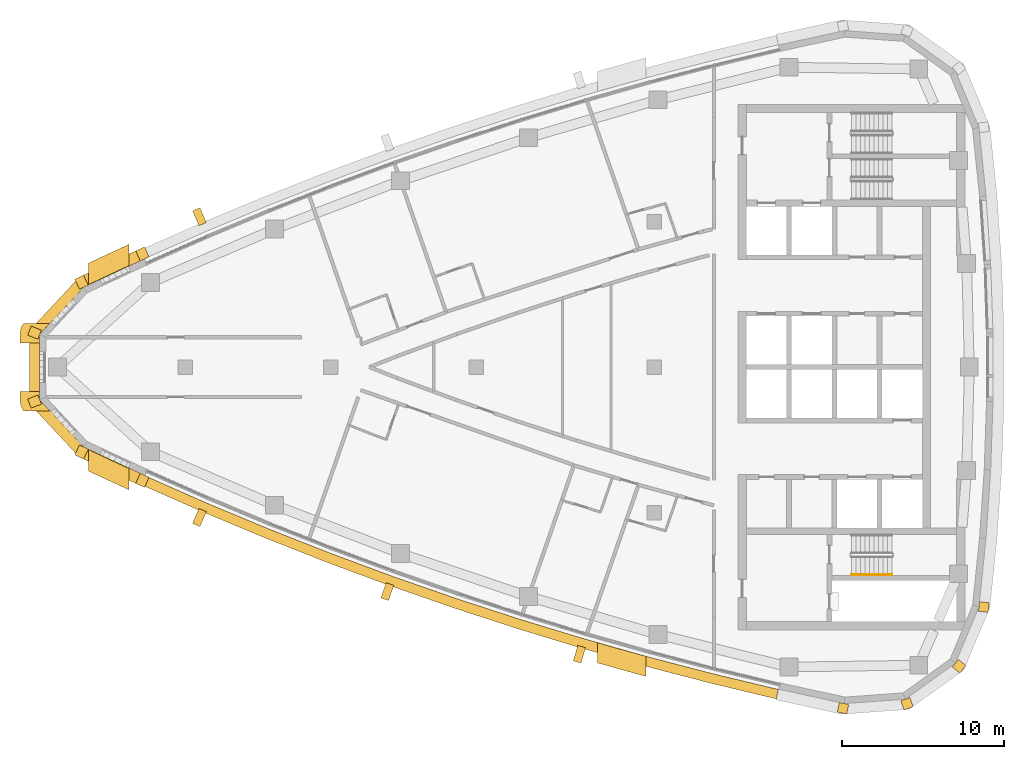
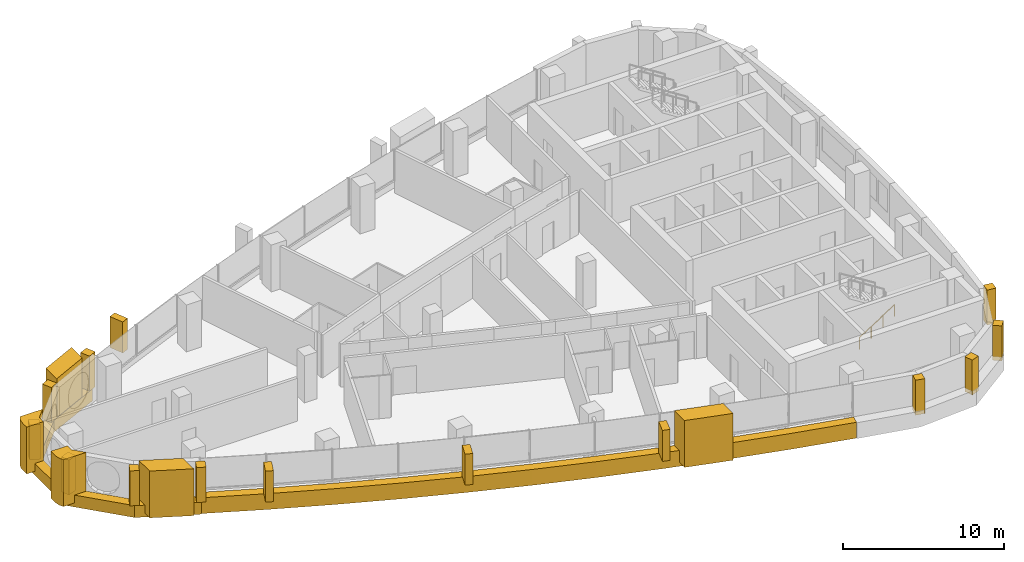
# One storey, part 11 of 14: 21 coverings, 1 railing.
"""IFC4 building model written with IfcOpenShell, lengths in metres."""

from ifc_helpers import new_model, si_unit, direction, frame, frame_2d, origin, origin_2d, place, context, subcontext, project, spatial, polyline, rectangle, circle, outline, extrude, material, layer, layer_set, type_object, element, save


model = new_model("IFC4")

# Units and contexts
model_context = context("Model", 3, precision=1e-05, world=origin(), true_north=direction((0.0, 1.0)))
body_context = subcontext(model_context, "Body", "Model", "MODEL_VIEW")
ifc_project = project(units=[si_unit("LENGTHUNIT", "METRE"), si_unit("AREAUNIT", "SQUARE_METRE"), si_unit("VOLUMEUNIT", "CUBIC_METRE"), si_unit("PLANEANGLEUNIT", "RADIAN"), si_unit("MASSUNIT", "GRAM", prefix="KILO")], contexts=[model_context])

# Site, building, storey
site_placement = place(None, origin())
site = spatial("IfcSite", under=ifc_project, at=site_placement, CompositionType="ELEMENT")
building_placement = place(site_placement, origin())
building = spatial("IfcBuilding", under=site, at=building_placement, Name="Ostrand Prow Hotel Tower", CompositionType="ELEMENT")
storey_placement = place(building_placement, frame((0.0, 0.0, 271.449951171875)))
storey = spatial("IfcBuildingStorey", under=building, at=storey_placement, Name="L68", CompositionType="ELEMENT", Elevation=271.449951171875)

# Coverings
ifc_material_1 = material(Name="Bronze anodised aluminium cladding", Category="aluminium")
ifc_layer_1 = layer(ifc_material_1, 0.60009765625)
ifc_layer_set_1 = layer_set([ifc_layer_1], Name="Bronze anodised aluminium cladding")
covering_type_1 = type_object("IfcCoveringType", Name="Bronze prow band 899x600", PredefinedType="CLADDING", material=ifc_layer_set_1)
covering_1_placement = place(storey_placement, frame((0.0, 0.0, -0.300048828125)))
element("IfcCovering", 1, at=covering_1_placement, inside=storey, type_object=covering_type_1, Name="Bronze prow band", PredefinedType="CLADDING", context=body_context, shape_type="SweptSolid", body=[
    extrude(outline(polyline([(13.195068359375, 7.316162109375), (9.424560546875, 5.559814453125), (6.348388671875, 2.2568359375), (6.348388671875, -2.2568359375), (9.424560546875, -5.559814453125), (13.195068359375, -7.316162109375), (13.47607421875, -6.697021484375), (9.718017578125, -4.9462890625), (6.981201171875, -2.0078125), (6.981201171875, 2.0078125), (9.718017578125, 4.9462890625), (13.47607421875, 6.697021484375), (13.195068359375, 7.316162109375)])), origin(), (0.0, 0.0, 1.0), 0.900146484375),
])
ifc_material_2 = material(Name="Bronze anodised aluminium cladding", Category="aluminium")
ifc_layer_2 = layer(ifc_material_2, 0.60009765625)
ifc_layer_set_2 = layer_set([ifc_layer_2], Name="Bronze anodised aluminium cladding")
covering_type_2 = type_object("IfcCoveringType", Name="Bronze spandrel band 1200x600", PredefinedType="CLADDING", material=ifc_layer_set_2)
covering_2_placement = place(storey_placement, frame((0.0, 0.0, -0.300048828125)))
element("IfcCovering", 2, at=covering_2_placement, inside=storey, type_object=covering_type_2, Name="Spandrel band S1", PredefinedType="CLADDING", context=body_context, shape_type="SweptSolid", body=[
    extrude(outline(polyline([(13.220947265625, -7.25927734375), (17.02490234375, -8.938720703125), (20.86181640625, -10.541748046875), (24.72998046875, -12.067138671875), (28.62841796875, -13.514404296875), (32.5546875, -14.88330078125), (36.508056640625, -16.172607421875), (40.486328125, -17.382568359375), (44.48828125, -18.51220703125), (48.51220703125, -19.56103515625), (52.55615234375, -20.52880859375), (52.68994140625, -19.94384765625), (48.65771484375, -18.97900390625), (44.6455078125, -17.93310546875), (40.6552734375, -16.806884765625), (36.6884765625, -15.6005859375), (32.74658203125, -14.314697265625), (28.83154296875, -12.949951171875), (24.944580078125, -11.5068359375), (21.08740234375, -9.98583984375), (17.26171875, -8.3876953125), (13.468994140625, -6.712890625), (13.220947265625, -7.25927734375)])), origin(), (0.0, 0.0, 1.0), 1.2001953125),
])
ifc_material_3 = material(Name="Limestone cladding", Category="masonry")
ifc_layer_3 = layer(ifc_material_3, 5.0)
ifc_layer_set_3 = layer_set([ifc_layer_3], Name="Limestone cladding")
covering_type_3 = type_object("IfcCoveringType", Name="Portal jamb pilaster limestone", PredefinedType="CLADDING", material=ifc_layer_set_3)
covering_3_placement = place(storey_placement, origin())
element("IfcCovering", 3, at=covering_3_placement, inside=storey, type_object=covering_type_3, Name="Portal jamb SA L68", PredefinedType="CLADDING", context=body_context, shape_type="SweptSolid", body=[
    extrude(outline(polyline([(10.0, -5.10009765625), (10.0, -6.428466796875), (10.833251953125, -6.8203125), (11.666748046875, -7.20751953125), (12.5, -7.590087890625), (12.5, -6.270263671875), (11.666748046875, -5.884765625), (10.833251953125, -5.494873046875), (10.0, -5.10009765625)])), origin(), (0.0, 0.0, 1.0), 3.550048828125),
])
covering_4_placement = place(storey_placement, origin())
element("IfcCovering", 4, at=covering_4_placement, inside=storey, type_object=covering_type_3, Name="Portal jamb SB L68", PredefinedType="CLADDING", context=body_context, shape_type="SweptSolid", body=[
    extrude(outline(polyline([(41.5, -17.052490234375), (41.5, -18.301025390625), (42.5, -18.585205078125), (43.5, -18.86376953125), (44.5, -19.136962890625), (44.5, -17.8935546875), (43.5, -17.61865234375), (42.5, -17.338134765625), (41.5, -17.052490234375)])), origin(), (0.0, 0.0, 1.0), 3.550048828125),
])
covering_5_placement = place(storey_placement, origin())
element("IfcCovering", 5, at=covering_5_placement, inside=storey, type_object=covering_type_3, Name="Portal jamb NA L68", PredefinedType="CLADDING", context=body_context, shape_type="SweptSolid", body=[
    extrude(outline(polyline([(10.0, 5.10009765625), (10.833251953125, 5.494873046875), (11.666748046875, 5.884765625), (12.5, 6.270263671875), (12.5, 7.590087890625), (11.666748046875, 7.20751953125), (10.833251953125, 6.8203125), (10.0, 6.428466796875), (10.0, 5.10009765625)])), origin(), (0.0, 0.0, 1.0), 3.550048828125),
])
ifc_material_4 = material(Name="Limestone cladding", Category="masonry")
ifc_layer_4 = layer(ifc_material_4, 0.5)
ifc_layer_set_4 = layer_set([ifc_layer_4], Name="Limestone cladding")
covering_type_4 = type_object("IfcCoveringType", Name="Precast stone fin 500x900", PredefinedType="CLADDING", material=ifc_layer_set_4)
covering_6_placement = place(storey_placement, frame((17.064453125, -8.846923828125, 0.900146484375), z_axis=(0.0, 0.0, 1.0), x_axis=(-0.394714590234, -0.918803783327, 0.0)))
element("IfcCovering", 6, at=covering_6_placement, inside=storey, type_object=covering_type_4, Name="Stone fin S 2", PredefinedType="CLADDING", context=body_context, shape_type="SweptSolid", body=[
    extrude(rectangle(XDim=1.000244140625, YDim=0.5, at=frame_2d((0.5, 0.0))), origin(), (0.0, 0.0, 1.0), 2.349853515625),
])
covering_7_placement = place(storey_placement, frame((28.662109375, -13.42041015625, 0.900146484375), z_axis=(0.0, 0.0, 1.0), x_axis=(-0.338624368902, -0.940921642213, 0.0)))
element("IfcCovering", 7, at=covering_7_placement, inside=storey, type_object=covering_type_4, Name="Stone fin S 5", PredefinedType="CLADDING", context=body_context, shape_type="SweptSolid", body=[
    extrude(rectangle(XDim=1.0, YDim=0.5, at=frame_2d((0.5, 0.0))), origin(), (0.0, 0.0, 1.0), 2.349853515625),
])
covering_8_placement = place(storey_placement, frame((40.5146484375, -17.28662109375, 0.900146484375), z_axis=(0.0, 0.0, 1.0), x_axis=(-0.281293696661, -0.959621725587, 0.0)))
element("IfcCovering", 8, at=covering_8_placement, inside=storey, type_object=covering_type_4, Name="Stone fin S 8", PredefinedType="CLADDING", context=body_context, shape_type="SweptSolid", body=[
    extrude(rectangle(XDim=0.999755859375, YDim=0.5, at=frame_2d((0.5, 0.0))), origin(), (0.0, 0.0, 1.0), 2.349853515625),
])
covering_9_placement = place(storey_placement, frame((17.064453125, 8.846923828125, 0.900146484375), z_axis=(0.0, 0.0, 1.0), x_axis=(-0.394714590234, 0.918803783327, 0.0)))
element("IfcCovering", 9, at=covering_9_placement, inside=storey, type_object=covering_type_4, Name="Stone fin N 10", PredefinedType="CLADDING", context=body_context, shape_type="SweptSolid", body=[
    extrude(rectangle(XDim=1.000244140625, YDim=0.5, at=frame_2d((0.5, 0.0))), origin(), (0.0, 0.0, 1.0), 2.349853515625),
])
ifc_material_5 = material(Name="Limestone cladding", Category="masonry")
ifc_layer_5 = layer(ifc_material_5, 0.60009765625)
ifc_layer_set_5 = layer_set([ifc_layer_5], Name="Limestone cladding")
covering_type_5 = type_object("IfcCoveringType", Name="Precast stone prow rib 600x600", PredefinedType="CLADDING", material=ifc_layer_set_5)
covering_10_placement = place(storey_placement, frame((13.47607421875, 6.697021484375, 0.60009765625), z_axis=(0.0, 0.0, 1.0), x_axis=(-0.413288868051, 0.910599973394, 0.0)))
element("IfcCovering", 10, at=covering_10_placement, inside=storey, type_object=covering_type_5, Name="Stone prow rib 1", PredefinedType="CLADDING", context=body_context, shape_type="SweptSolid", body=[
    extrude(rectangle(XDim=0.679931640625, YDim=0.60009765625, at=frame_2d((0.33984375, 0.0))), origin(), (0.0, 0.0, 1.0), 2.64990234375),
])
covering_11_placement = place(storey_placement, frame((9.718017578125, 4.9462890625, 0.60009765625), z_axis=(0.0, 0.0, 1.0), x_axis=(-0.431493603995, 0.902115995707, 0.0)))
element("IfcCovering", 11, at=covering_11_placement, inside=storey, type_object=covering_type_5, Name="Stone prow rib 2", PredefinedType="CLADDING", context=body_context, shape_type="SweptSolid", body=[
    extrude(rectangle(XDim=0.68017578125, YDim=0.60009765625, at=frame_2d((0.340087890625, 0.0))), origin(), (0.0, 0.0, 1.0), 2.64990234375),
])
for number, where, z_axis, x_axis, name in (
    (12, (6.981201171875, 2.0078125, 0.60009765625), (0.0, 0.0, 1.0), (-0.93054188789, 0.366185465142, 0.0), "Stone prow rib 3"),
    (13, (6.981201171875, -2.0078125, 0.60009765625), (0.0, 0.0, 1.0), (-0.93054188789, -0.366185465142, 0.0), "Stone prow rib 4"),
):
    element("IfcCovering", number, at=place(storey_placement, frame(where, z_axis=z_axis, x_axis=x_axis)), inside=storey, type_object=covering_type_5, Name=name, PredefinedType="CLADDING", context=body_context, shape_type="SweptSolid", body=[
        extrude(rectangle(XDim=0.679931640625, YDim=0.60009765625, at=frame_2d((0.33984375, 0.0))), origin(), (0.0, 0.0, 1.0), 2.64990234375),
    ])
covering_12_placement = place(storey_placement, frame((9.718017578125, -4.9462890625, 0.60009765625), z_axis=(0.0, 0.0, 1.0), x_axis=(-0.431493603995, -0.902115995707, 0.0)))
element("IfcCovering", 14, at=covering_12_placement, inside=storey, type_object=covering_type_5, Name="Stone prow rib 5", PredefinedType="CLADDING", context=body_context, shape_type="SweptSolid", body=[
    extrude(rectangle(XDim=0.68017578125, YDim=0.60009765625, at=frame_2d((0.340087890625, 0.0))), origin(), (0.0, 0.0, 1.0), 2.64990234375),
])
covering_13_placement = place(storey_placement, frame((13.47607421875, -6.697021484375, 0.60009765625), z_axis=(0.0, 0.0, 1.0), x_axis=(-0.413288868051, -0.910599973394, 0.0)))
element("IfcCovering", 15, at=covering_13_placement, inside=storey, type_object=covering_type_5, Name="Stone prow rib 6", PredefinedType="CLADDING", context=body_context, shape_type="SweptSolid", body=[
    extrude(rectangle(XDim=0.679931640625, YDim=0.60009765625, at=frame_2d((0.33984375, 0.0))), origin(), (0.0, 0.0, 1.0), 2.64990234375),
])
covering_14_placement = place(storey_placement, frame((56.744384765625, -20.810546875, 0.60009765625), z_axis=(0.0, 0.0, 1.0), x_axis=(-0.203385687349, -0.979098698897, 0.0)))
element("IfcCovering", 16, at=covering_14_placement, inside=storey, type_object=covering_type_5, Name="Stone corner rib 2a", PredefinedType="CLADDING", context=body_context, shape_type="SweptSolid", body=[
    extrude(rectangle(XDim=0.60009765625, YDim=0.60009765625, at=frame_2d((0.300048828125, 0.0))), origin(), (0.0, 0.0, 1.0), 2.64990234375),
])
for number, where, z_axis, x_axis, name in (
    (17, (60.540283203125, -20.539794921875, 0.60009765625), (0.0, 0.0, 1.0), (0.340664419472, -0.940184956966, 0.0), "Stone corner rib 3a"),
    (18, (63.630615234375, -18.318359375, 0.60009765625), (0.0, 0.0, 1.0), (0.782731736812, -0.622359243674, 0.0), "Stone corner rib 4a"),
):
    element("IfcCovering", number, at=place(storey_placement, frame(where, z_axis=z_axis, x_axis=x_axis)), inside=storey, type_object=covering_type_5, Name=name, PredefinedType="CLADDING", context=body_context, shape_type="SweptSolid", body=[
        extrude(rectangle(XDim=0.599853515625, YDim=0.60009765625, at=frame_2d((0.2998046875, 0.0))), origin(), (0.0, 0.0, 1.0), 2.64990234375),
    ])
covering_15_placement = place(storey_placement, frame((65.0966796875, -14.806396484375, 0.60009765625), z_axis=(0.0, 0.0, 1.0), x_axis=(0.992867207971, -0.119225447515, 0.0)))
element("IfcCovering", 19, at=covering_15_placement, inside=storey, type_object=covering_type_5, Name="Stone corner rib 4b", PredefinedType="CLADDING", context=body_context, shape_type="SweptSolid", body=[
    extrude(rectangle(XDim=0.60009765625, YDim=0.60009765625, at=frame_2d((0.300048828125, 0.0))), origin(), (0.0, 0.0, 1.0), 2.64990234375),
])
ifc_material_6 = material(Name="Limestone cladding", Category="masonry")
ifc_layer_6 = layer(ifc_material_6, 3.0)
ifc_layer_set_6 = layer_set([ifc_layer_6], Name="Limestone cladding")
covering_type_6 = type_object("IfcCoveringType", Name="Prow nose pier limestone", PredefinedType="CLADDING", material=ifc_layer_set_6)
covering_16_placement = place(storey_placement, origin())
element("IfcCovering", 20, at=covering_16_placement, inside=storey, type_object=covering_type_6, Name="Prow spine fin N L68", PredefinedType="CLADDING", context=body_context, shape_type="SweptSolid", body=[
    extrude(outline(polyline([(5.764892578125, 2.01416015625), (5.764892578125, 1.5), (6.96484375, 1.5), (6.96484375, 2.01416015625), (7.603515625, 2.699951171875), (5.981689453125, 2.699951171875), (5.94970703125, 2.654052734375), (5.894287109375, 2.55615234375), (5.84814453125, 2.45361328125), (5.81201171875, 2.34716796875), (5.785888671875, 2.23779296875), (5.77001953125, 2.12646484375), (5.764892578125, 2.01416015625)])), origin(), (0.0, 0.0, 1.0), 3.550048828125),
])
covering_17_placement = place(storey_placement, origin())
element("IfcCovering", 21, at=covering_17_placement, inside=storey, type_object=covering_type_6, Name="Prow spine fin S L68", PredefinedType="CLADDING", context=body_context, shape_type="SweptSolid", body=[
    extrude(outline(polyline([(5.94970703125, -2.654052734375), (5.981689453125, -2.699951171875), (7.603515625, -2.699951171875), (6.96484375, -2.01416015625), (6.96484375, -1.5), (5.764892578125, -1.5), (5.764892578125, -2.01416015625), (5.77001953125, -2.12646484375), (5.785888671875, -2.23779296875), (5.81201171875, -2.34716796875), (5.84814453125, -2.45361328125), (5.894287109375, -2.55615234375), (5.94970703125, -2.654052734375)])), origin(), (0.0, 0.0, 1.0), 3.550048828125),
])

# Railing
ifc_material_7 = material(Name="Stainless steel", Category="steel")
railing_type = type_object("IfcRailingType", Name="Stair handrail 900", PredefinedType="HANDRAIL", material=ifc_material_7)
railing_placement = place(storey_placement, frame((57.199951171875, -12.85009765625, 0.177490234375)))
element("IfcRailing", 22, at=railing_placement, inside=storey, type_object=railing_type, Name="L68 ST2C stair handrail 1", PredefinedType="HANDRAIL", context=body_context, shape_type="SweptSolid", body=[
    extrude(circle(Radius=0.02392578125, at=origin_2d()), frame((0.0, 0.0, 0.8759765625), z_axis=(0.84456994832, 0.0, 0.535445237532), x_axis=(0.0, 1.0, 0.0)), (0.0, 0.0, 1.0), 2.98388671875),
    extrude(circle(Radius=0.02099609375, at=origin_2d()), origin(), (0.0, 0.0, 1.0), 0.851806640625),
    extrude(circle(Radius=0.02099609375, at=origin_2d()), frame((0.840087890625, 0.0, 0.532470703125)), (0.0, 0.0, 1.0), 0.851806640625),
    extrude(circle(Radius=0.02099609375, at=origin_2d()), frame((1.679931640625, 0.0, 1.065185546875)), (0.0, 0.0, 1.0), 0.851806640625),
    extrude(circle(Radius=0.02099609375, at=origin_2d()), frame((2.52001953125, 0.0, 1.59765625)), (0.0, 0.0, 1.0), 0.851806640625),
])

save(model, "model.ifc")
